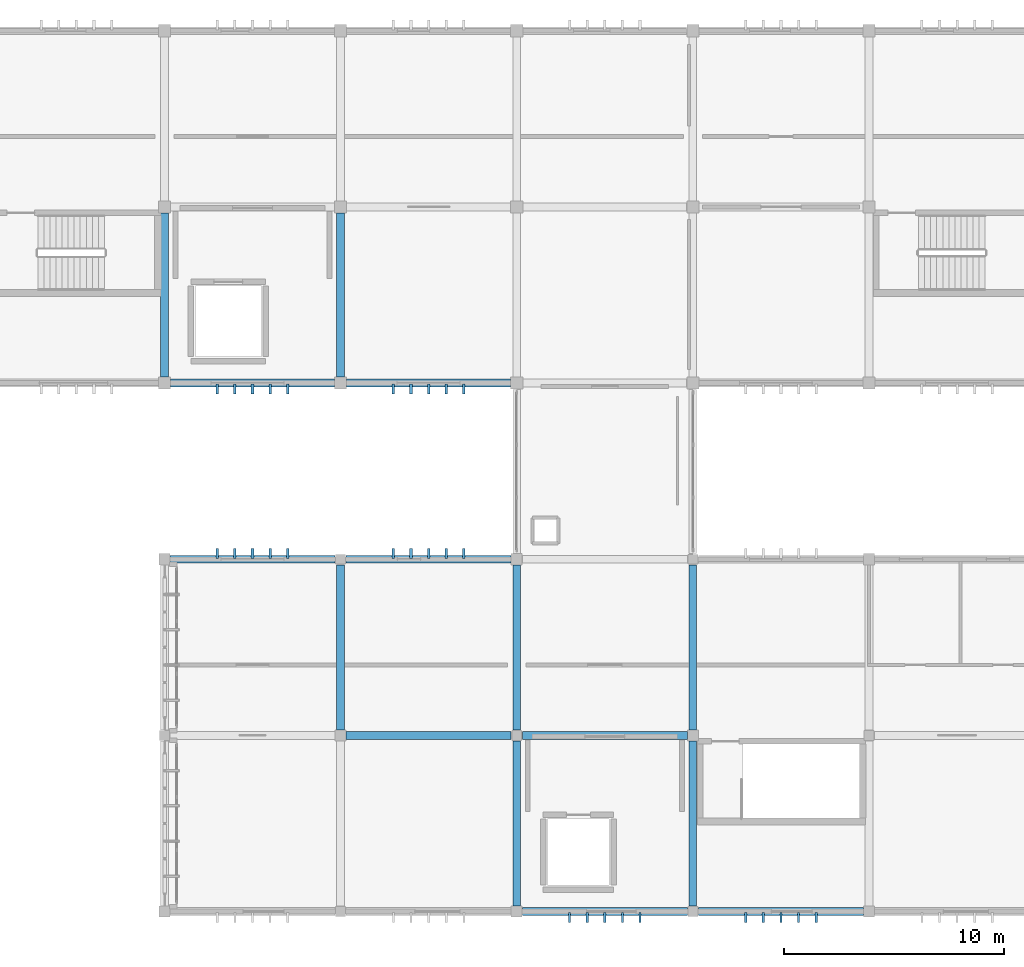
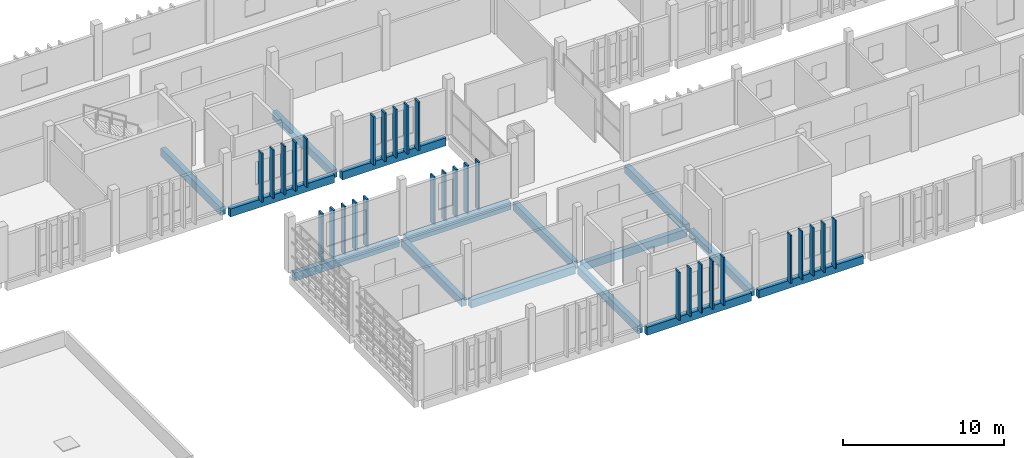
# One storey, part 9 of 32: 30 members, 15 beams.
"""IFC4 building model written with IfcOpenShell, lengths in metres."""

from ifc_helpers import new_model, si_unit, direction, frame, origin, origin_2d, place, context, subcontext, project, spatial, rectangle, extrude, material, material_profile, profile_set, type_object, element, save


model = new_model("IFC4")

# Units and contexts
model_context = context("Model", 3, precision=1e-05, world=origin(), true_north=direction((0.0, 1.0)))
body_context = subcontext(model_context, "Body", "Model", "MODEL_VIEW")
ifc_project = project(units=[si_unit("LENGTHUNIT", "METRE"), si_unit("AREAUNIT", "SQUARE_METRE"), si_unit("VOLUMEUNIT", "CUBIC_METRE"), si_unit("PLANEANGLEUNIT", "RADIAN"), si_unit("MASSUNIT", "GRAM", prefix="KILO")], contexts=[model_context])

# Site, building, storey
site_placement = place(None, origin())
site = spatial("IfcSite", under=ifc_project, at=site_placement, CompositionType="ELEMENT")
building_placement = place(site_placement, origin())
building = spatial("IfcBuilding", under=site, at=building_placement, Name="Jelvoka-Kovrelna Polytechnic", CompositionType="ELEMENT")
storey_placement = place(building_placement, frame((0.0, 0.0, 26.39990234375)))
storey = spatial("IfcBuildingStorey", under=building, at=storey_placement, Name="L07", CompositionType="ELEMENT", Elevation=26.39990234375)

# Beams
ifc_material_1 = material(Name="Concrete C35/45", Category="concrete")
ifc_material_profile_1 = material_profile(ifc_material_1, rectangle(XDim=0.35009765625, YDim=0.60009765625, at=origin_2d()), Name="RC 350x600")
ifc_profile_set_1 = profile_set([ifc_material_profile_1], Name="Concrete C35/45")
beam_type_1 = type_object("IfcBeamType", Name="Beam_RC_350x600", PredefinedType="BEAM", material=ifc_profile_set_1)
for number, where, z_axis, x_axis, name in (
    (1, (136.2548828125, 40.0, -0.539794921875), (1.0, 0.0, 0.0), (0.0, 1.0, 0.0), "L07 beam 1799"),
    (2, (144.2548828125, 40.0, -0.539794921875), (1.0, 0.0, 0.0), (0.0, 1.0, 0.0), "L07 beam 1800"),
    (3, (136.0, 40.2548828125, -0.539794921875), (0.0, 1.0, 0.0), (-1.0, 0.0, 0.0), "L07 beam 1814"),
    (4, (144.0, 32.2548828125, -0.539794921875), (0.0, 1.0, 0.0), (-1.0, 0.0, 0.0), "L07 beam 1815"),
    (5, (144.0, 40.2548828125, -0.539794921875), (0.0, 1.0, 0.0), (-1.0, 0.0, 0.0), "L07 beam 1816"),
    (6, (152.0, 32.2548828125, -0.539794921875), (0.0, 1.0, 0.0), (-1.0, 0.0, 0.0), "L07 beam 1817"),
    (7, (152.0, 40.2548828125, -0.539794921875), (0.0, 1.0, 0.0), (-1.0, 0.0, 0.0), "L07 beam 1818"),
):
    element("IfcBeam", number, at=place(storey_placement, frame(where, z_axis=z_axis, x_axis=x_axis)), inside=storey, type_object=beam_type_1, Name=name, PredefinedType="BEAM", context=body_context, shape_type="SweptSolid", body=[
        extrude(rectangle(XDim=0.35009765625, YDim=0.60009765625, at=origin_2d()), origin(), (0.0, 0.0, 1.0), 7.490234375),
    ])
for number, where, z_axis, x_axis, name in (
    (8, (128.0, 56.280029296875, -0.539794921875), (0.0, 1.0, 0.0), (-1.0, 0.0, 0.0), "L07 beam 1885"),
    (9, (136.0, 56.280029296875, -0.539794921875), (0.0, 1.0, 0.0), (-1.0, 0.0, 0.0), "L07 beam 1887"),
):
    element("IfcBeam", number, at=place(storey_placement, frame(where, z_axis=z_axis, x_axis=x_axis)), inside=storey, type_object=beam_type_1, Name=name, PredefinedType="BEAM", context=body_context, shape_type="SweptSolid", body=[
        extrude(rectangle(XDim=0.35009765625, YDim=0.60009765625, at=origin_2d()), origin(), (0.0, 0.0, 1.0), 7.43994140625),
    ])

# Members
ifc_material_2 = material(Name="Precast concrete C40/50", Category="concrete")
ifc_material_profile_2 = material_profile(ifc_material_2, rectangle(XDim=0.10009765625, YDim=0.449951171875, at=origin_2d()), Name="PC 100x450")
ifc_profile_set_2 = profile_set([ifc_material_profile_2], Name="Precast concrete C40/50")
member_type_1 = type_object("IfcMemberType", Name="Louvre_Fin_100x450", PredefinedType="USERDEFINED", material=ifc_profile_set_2)
for number, where, z_axis, x_axis, name in (
    (10, (146.39990234375, 31.735107421875, -0.27001953125), (0.0, 0.0, 1.0), (1.0, 0.0, 0.0), "L07 B2E south vertical solar louvre fin 1171"),
    (11, (147.199951171875, 31.735107421875, -0.27001953125), (0.0, 0.0, 1.0), (1.0, 0.0, 0.0), "L07 B2E south vertical solar louvre fin 1172"),
    (12, (148.0, 31.735107421875, -0.27001953125), (0.0, 0.0, 1.0), (1.0, 0.0, 0.0), "L07 B2E south vertical solar louvre fin 1173"),
    (13, (148.800048828125, 31.735107421875, -0.27001953125), (0.0, 0.0, 1.0), (1.0, 0.0, 0.0), "L07 B2E south vertical solar louvre fin 1174"),
    (14, (149.60009765625, 31.735107421875, -0.27001953125), (0.0, 0.0, 1.0), (1.0, 0.0, 0.0), "L07 B2E south vertical solar louvre fin 1175"),
    (15, (154.39990234375, 31.735107421875, -0.27001953125), (0.0, 0.0, 1.0), (1.0, 0.0, 0.0), "L07 B2E south vertical solar louvre fin 1176"),
    (16, (155.199951171875, 31.735107421875, -0.27001953125), (0.0, 0.0, 1.0), (1.0, 0.0, 0.0), "L07 B2E south vertical solar louvre fin 1177"),
    (17, (156.0, 31.735107421875, -0.27001953125), (0.0, 0.0, 1.0), (1.0, 0.0, 0.0), "L07 B2E south vertical solar louvre fin 1178"),
    (18, (156.800048828125, 31.735107421875, -0.27001953125), (0.0, 0.0, 1.0), (1.0, 0.0, 0.0), "L07 B2E south vertical solar louvre fin 1179"),
    (19, (157.60009765625, 31.735107421875, -0.27001953125), (0.0, 0.0, 1.0), (1.0, 0.0, 0.0), "L07 B2E south vertical solar louvre fin 1180"),
):
    element("IfcMember", number, at=place(storey_placement, frame(where, z_axis=z_axis, x_axis=x_axis)), inside=storey, type_object=member_type_1, Name=name, ObjectType="SUNSHADE", PredefinedType="USERDEFINED", context=body_context, shape_type="SweptSolid", body=[
        extrude(rectangle(XDim=0.10009765625, YDim=0.449951171875, at=origin_2d()), origin(), (0.0, 0.0, 1.0), 3.655029296875),
    ])
ifc_material_3 = material(Name="Precast concrete C40/50", Category="concrete")
ifc_material_profile_3 = material_profile(ifc_material_3, rectangle(XDim=0.1201171875, YDim=0.449951171875, at=origin_2d()), Name="PC 120x450")
ifc_profile_set_3 = profile_set([ifc_material_profile_3], Name="Precast concrete C40/50")
member_type_2 = type_object("IfcMemberType", Name="Louvre_Fin_120x450", PredefinedType="USERDEFINED", material=ifc_profile_set_3)
for number, where, z_axis, x_axis, name in (
    (20, (130.39990234375, 48.264892578125, -0.27001953125), (0.0, 0.0, 1.0), (1.0, 0.0, 0.0), "L07 B2E north vertical solar louvre fin 1156"),
    (21, (131.199951171875, 48.264892578125, -0.27001953125), (0.0, 0.0, 1.0), (1.0, 0.0, 0.0), "L07 B2E north vertical solar louvre fin 1157"),
    (22, (132.0, 48.264892578125, -0.27001953125), (0.0, 0.0, 1.0), (1.0, 0.0, 0.0), "L07 B2E north vertical solar louvre fin 1158"),
    (23, (132.800048828125, 48.264892578125, -0.27001953125), (0.0, 0.0, 1.0), (1.0, 0.0, 0.0), "L07 B2E north vertical solar louvre fin 1159"),
    (24, (133.60009765625, 48.264892578125, -0.27001953125), (0.0, 0.0, 1.0), (1.0, 0.0, 0.0), "L07 B2E north vertical solar louvre fin 1160"),
    (25, (138.39990234375, 48.264892578125, -0.27001953125), (0.0, 0.0, 1.0), (1.0, 0.0, 0.0), "L07 B2E north vertical solar louvre fin 1166"),
    (26, (139.199951171875, 48.264892578125, -0.27001953125), (0.0, 0.0, 1.0), (1.0, 0.0, 0.0), "L07 B2E north vertical solar louvre fin 1167"),
    (27, (140.0, 48.264892578125, -0.27001953125), (0.0, 0.0, 1.0), (1.0, 0.0, 0.0), "L07 B2E north vertical solar louvre fin 1168"),
    (28, (140.800048828125, 48.264892578125, -0.27001953125), (0.0, 0.0, 1.0), (1.0, 0.0, 0.0), "L07 B2E north vertical solar louvre fin 1169"),
    (29, (141.60009765625, 48.264892578125, -0.27001953125), (0.0, 0.0, 1.0), (1.0, 0.0, 0.0), "L07 B2E north vertical solar louvre fin 1170"),
):
    element("IfcMember", number, at=place(storey_placement, frame(where, z_axis=z_axis, x_axis=x_axis)), inside=storey, type_object=member_type_2, Name=name, ObjectType="SUNSHADE", PredefinedType="USERDEFINED", context=body_context, shape_type="SweptSolid", body=[
        extrude(rectangle(XDim=0.1201171875, YDim=0.449951171875, at=origin_2d()), origin(), (0.0, 0.0, 1.0), 3.655029296875),
    ])
for number, where, z_axis, x_axis, name in (
    (30, (130.39990234375, 55.735107421875, -0.27001953125), (0.0, 0.0, 1.0), (1.0, 0.0, 0.0), "L07 B3 south vertical solar louvre fin 2161"),
    (31, (131.199951171875, 55.735107421875, -0.27001953125), (0.0, 0.0, 1.0), (1.0, 0.0, 0.0), "L07 B3 south vertical solar louvre fin 2162"),
    (32, (132.0, 55.735107421875, -0.27001953125), (0.0, 0.0, 1.0), (1.0, 0.0, 0.0), "L07 B3 south vertical solar louvre fin 2163"),
    (33, (132.800048828125, 55.735107421875, -0.27001953125), (0.0, 0.0, 1.0), (1.0, 0.0, 0.0), "L07 B3 south vertical solar louvre fin 2164"),
    (34, (133.60009765625, 55.735107421875, -0.27001953125), (0.0, 0.0, 1.0), (1.0, 0.0, 0.0), "L07 B3 south vertical solar louvre fin 2165"),
    (35, (138.39990234375, 55.735107421875, -0.27001953125), (0.0, 0.0, 1.0), (1.0, 0.0, 0.0), "L07 B3 south vertical solar louvre fin 2171"),
    (36, (139.199951171875, 55.735107421875, -0.27001953125), (0.0, 0.0, 1.0), (1.0, 0.0, 0.0), "L07 B3 south vertical solar louvre fin 2172"),
    (37, (140.0, 55.735107421875, -0.27001953125), (0.0, 0.0, 1.0), (1.0, 0.0, 0.0), "L07 B3 south vertical solar louvre fin 2173"),
    (38, (140.800048828125, 55.735107421875, -0.27001953125), (0.0, 0.0, 1.0), (1.0, 0.0, 0.0), "L07 B3 south vertical solar louvre fin 2174"),
    (39, (141.60009765625, 55.735107421875, -0.27001953125), (0.0, 0.0, 1.0), (1.0, 0.0, 0.0), "L07 B3 south vertical solar louvre fin 2175"),
):
    element("IfcMember", number, at=place(storey_placement, frame(where, z_axis=z_axis, x_axis=x_axis)), inside=storey, type_object=member_type_2, Name=name, ObjectType="SUNSHADE", PredefinedType="USERDEFINED", context=body_context, shape_type="SweptSolid", body=[
        extrude(rectangle(XDim=0.1201171875, YDim=0.449951171875, at=origin_2d()), origin(), (0.0, 0.0, 1.0), 3.670166015625),
    ])

# Beams
ifc_material_4 = material(Name="Concrete C40/50", Category="concrete")
ifc_material_profile_4 = material_profile(ifc_material_4, rectangle(XDim=0.35009765625, YDim=0.60009765625, at=origin_2d()), Name="RC 350x600")
ifc_profile_set_4 = profile_set([ifc_material_profile_4], Name="Concrete C40/50")
beam_type_2 = type_object("IfcBeamType", Name="Spandrel_RC_350x600", PredefinedType="SPANDREL", material=ifc_profile_set_4)
for number, where, z_axis, x_axis, name in (
    (40, (144.2548828125, 32.0, -0.539794921875), (1.0, 0.0, 0.0), (0.0, 1.0, 0.0), "L07 beam 1793"),
    (41, (152.2548828125, 32.0, -0.539794921875), (1.0, 0.0, 0.0), (0.0, 1.0, 0.0), "L07 beam 1794"),
    (42, (128.2548828125, 48.0, -0.539794921875), (1.0, 0.0, 0.0), (0.0, 1.0, 0.0), "L07 beam 1804"),
    (43, (136.2548828125, 48.0, -0.539794921875), (1.0, 0.0, 0.0), (0.0, 1.0, 0.0), "L07 beam 1805"),
):
    element("IfcBeam", number, at=place(storey_placement, frame(where, z_axis=z_axis, x_axis=x_axis)), inside=storey, type_object=beam_type_2, Name=name, PredefinedType="SPANDREL", context=body_context, shape_type="SweptSolid", body=[
        extrude(rectangle(XDim=0.35009765625, YDim=0.60009765625, at=origin_2d()), origin(), (0.0, 0.0, 1.0), 7.490234375),
    ])
for number, where, z_axis, x_axis, name in (
    (44, (128.280029296875, 56.0, -0.539794921875), (1.0, 0.0, 0.0), (0.0, 1.0, 0.0), "L07 beam 1860"),
    (45, (136.280029296875, 56.0, -0.539794921875), (1.0, 0.0, 0.0), (0.0, 1.0, 0.0), "L07 beam 1861"),
):
    element("IfcBeam", number, at=place(storey_placement, frame(where, z_axis=z_axis, x_axis=x_axis)), inside=storey, type_object=beam_type_2, Name=name, PredefinedType="SPANDREL", context=body_context, shape_type="SweptSolid", body=[
        extrude(rectangle(XDim=0.35009765625, YDim=0.60009765625, at=origin_2d()), origin(), (0.0, 0.0, 1.0), 7.43994140625),
    ])

save(model, "model.ifc")
